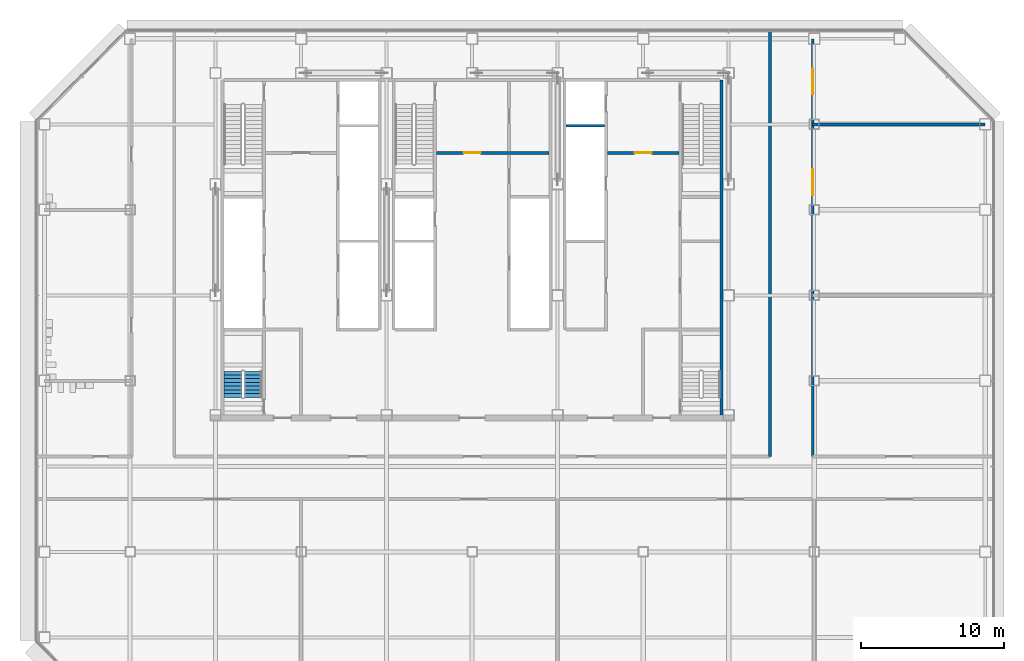
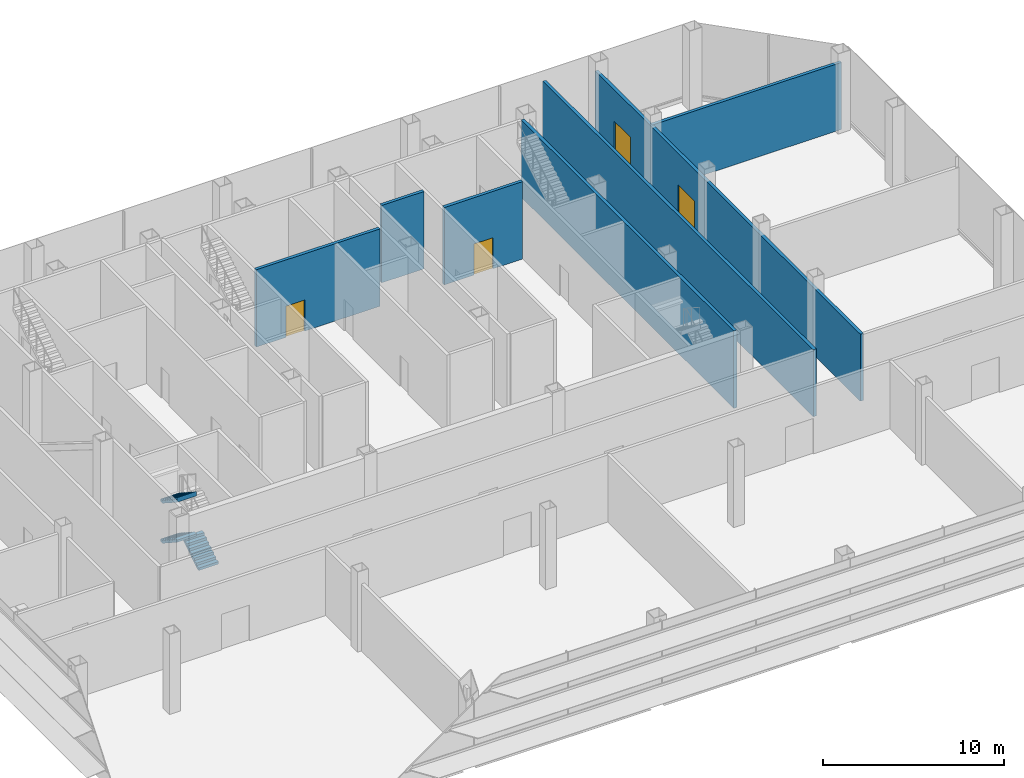
# One storey, part 18 of 23: 7 walls, 4 doors, 3 stair flights, 4 openings, 1 element without a shape of its own.
"""IFC4 building model written with IfcOpenShell, lengths in metres."""

from ifc_helpers import new_model, si_unit, direction, frame, frame_2d, origin, place, context, subcontext, project, spatial, polyline, rectangle, outline, extrude, material, layer, layer_set, type_object, element, fill, aggregate, save


model = new_model("IFC4")

# Units and contexts
model_context = context("Model", 3, precision=1e-05, world=origin(), true_north=direction((0.0, 1.0)))
body_context = subcontext(model_context, "Body", "Model", "MODEL_VIEW")
ifc_project = project(units=[si_unit("LENGTHUNIT", "METRE"), si_unit("AREAUNIT", "SQUARE_METRE"), si_unit("VOLUMEUNIT", "CUBIC_METRE"), si_unit("PLANEANGLEUNIT", "RADIAN"), si_unit("MASSUNIT", "GRAM", prefix="KILO")], contexts=[model_context])

# Site, building, storey
site_placement = place(None, origin())
site = spatial("IfcSite", under=ifc_project, at=site_placement, CompositionType="ELEMENT")
building_placement = place(site_placement, origin())
building = spatial("IfcBuilding", under=site, at=building_placement, Name="Sorahane Residences", CompositionType="ELEMENT")
storey_placement = place(building_placement, frame((0.0, 0.0, 114.199951171875)))
storey = spatial("IfcBuildingStorey", under=building, at=storey_placement, Name="L25", CompositionType="ELEMENT", Elevation=114.199951171875)

# Walls
ifc_material_1 = material(Name="Concrete C30", Category="concrete")
ifc_layer_1 = layer(ifc_material_1, 0.199951171875)
ifc_layer_set_1 = layer_set([ifc_layer_1], Name="Core face wall 200 EI 180")
wall_type_1 = type_object("IfcWallType", Name="Core face wall 200 EI 180", PredefinedType="SOLIDWALL", material=ifc_layer_set_1)
wall_1_placement = place(storey_placement, frame((41.5, 21.60009765625, 0.0), z_axis=(0.0, 0.0, 1.0), x_axis=(0.0, 1.0, 0.0)))
element("IfcWall", 1, at=wall_1_placement, inside=storey, type_object=wall_type_1, Name="L25 core face wall", PredefinedType="SOLIDWALL", context=body_context, shape_type="SweptSolid", body=[
    extrude(rectangle(XDim=23.5, YDim=0.199951171875, at=frame_2d((11.75, 0.0))), origin(), (0.0, 0.0, 1.0), 5.219970703125),
])
ifc_material_2 = material(Name="Concrete blockwork C20 wall", Category="masonry")
ifc_layer_2 = layer(ifc_material_2, 0.199951171875)
ifc_layer_set_2 = layer_set([ifc_layer_2], Name="Corridor wall 200 EI 120")
wall_type_2 = type_object("IfcWallType", Name="Corridor wall 200 EI 120", PredefinedType="SOLIDWALL", material=ifc_layer_set_2)
wall_2_placement = place(storey_placement, frame((44.89990234375, 18.699951171875, 0.0), z_axis=(0.0, 0.0, 1.0), x_axis=(0.0, 1.0, 0.0)))
element("IfcWall", 2, at=wall_2_placement, inside=storey, type_object=wall_type_2, Name="L25 corridor wall", PredefinedType="SOLIDWALL", context=body_context, shape_type="SweptSolid", body=[
    extrude(rectangle(XDim=29.900146484375, YDim=0.199951171875, at=frame_2d((14.9501953125, 0.0))), origin(), (0.0, 0.0, 1.0), 4.52001953125),
])

# Wall, openings, doors
wall_3_placement = place(storey_placement, frame((47.89990234375, 18.699951171875, 0.0), z_axis=(0.0, 0.0, 1.0), x_axis=(0.0, 1.0, 0.0)))
wall_3 = element("IfcWall", 3, at=wall_3_placement, inside=storey, type_object=wall_type_2, Name="L25 corridor wall", PredefinedType="SOLIDWALL", context=body_context, shape_type="SweptSolid", body=[
    extrude(rectangle(XDim=29.300048828125, YDim=0.199951171875, at=frame_2d((14.64990234375, 0.0))), origin(), (0.0, 0.0, 1.0), 4.52001953125),
])
opening_1_placement = place(wall_3_placement, frame((18.340087890625, 0.0, 0.0)))
opening_1 = element("IfcOpeningElement", 4, at=opening_1_placement, cuts=wall_3, Name="Opening L25-09", PredefinedType="OPENING", context=body_context, shape_type="SweptSolid", body=[
    extrude(rectangle(XDim=1.800048828125, YDim=2.39990234375, at=frame_2d((0.89990234375, 1.199951171875))), frame((0.0, 0.10986328125, 0.0), z_axis=(0.0, -1.0, 0.0), x_axis=(1.0, 0.0, 0.0)), (0.0, 0.0, 1.0), 0.219970703125),
])
opening_2_placement = place(wall_3_placement, frame((25.39990234375, 0.0, 0.0)))
opening_2 = element("IfcOpeningElement", 5, at=opening_2_placement, cuts=wall_3, Name="Opening L25-10", PredefinedType="OPENING", context=body_context, shape_type="SweptSolid", body=[
    extrude(rectangle(XDim=1.800048828125, YDim=2.39990234375, at=frame_2d((0.89990234375, 1.199951171875))), frame((0.0, 0.10986328125, 0.0), z_axis=(0.0, -1.0, 0.0), x_axis=(1.0, 0.0, 0.0)), (0.0, 0.0, 1.0), 0.219970703125),
])
ifc_material_3 = material(Name="Timber veneered fire door", Category="wood")
door_type_1 = type_object("IfcDoorType", Name="Double door 1800x2400 FD30", OperationType="NOTDEFINED", PredefinedType="DOOR", material=ifc_material_3)
door_1_placement = place(opening_1_placement, origin())
door_1 = element("IfcDoor", 6, at=door_1_placement, inside=storey, type_object=door_type_1, Name="Double door L25-09", OperationType="SINGLE_SWING_LEFT", OverallHeight=2.39990234375, OverallWidth=1.800048828125, PredefinedType="DOOR", context=body_context, shape_type="SweptSolid", body=[
    extrude(rectangle(XDim=1.800048828125, YDim=2.39990234375, at=frame_2d((0.89990234375, 1.199951171875))), frame((0.0, 0.02490234375, 0.0), z_axis=(0.0, -1.0, 0.0), x_axis=(1.0, 0.0, 0.0)), (0.0, 0.0, 1.0), 0.050048828125),
])
fill(opening_1, door_1)
door_2_placement = place(opening_2_placement, frame((1.800048828125, 0.0, 0.0), z_axis=(0.0, 0.0, 1.0), x_axis=(-1.0, 0.0, 0.0)))
door_2 = element("IfcDoor", 7, at=door_2_placement, inside=storey, type_object=door_type_1, Name="Double door L25-10", OperationType="SINGLE_SWING_RIGHT", OverallHeight=2.39990234375, OverallWidth=1.800048828125, PredefinedType="DOOR", context=body_context, shape_type="SweptSolid", body=[
    extrude(rectangle(XDim=1.800048828125, YDim=2.39990234375, at=frame_2d((0.89990234375, 1.199951171875))), frame((0.0, 0.02490234375, 0.0), z_axis=(0.0, -1.0, 0.0), x_axis=(1.0, 0.0, 0.0)), (0.0, 0.0, 1.0), 0.050048828125),
])
fill(opening_2, door_2)

# Wall
wall_4_placement = place(storey_placement, frame((47.89990234375, 42.0, 0.0), z_axis=(0.0, 0.0, 1.0), x_axis=(1.0, 0.0, 0.0)))
element("IfcWall", 8, at=wall_4_placement, inside=storey, type_object=wall_type_2, Name="L25 corridor wall", PredefinedType="SOLIDWALL", context=body_context, shape_type="SweptSolid", body=[
    extrude(rectangle(XDim=12.10009765625, YDim=0.199951171875, at=frame_2d((6.050048828125, 0.0))), origin(), (0.0, 0.0, 1.0), 4.52001953125),
])

# Wall, opening, door
ifc_material_4 = material(Name="Concrete C30", Category="concrete")
ifc_layer_3 = layer(ifc_material_4, 0.199951171875)
ifc_layer_set_3 = layer_set([ifc_layer_3], Name="Front room wall 200 EI 120")
wall_type_3 = type_object("IfcWallType", Name="Front room wall 200 EI 120", PredefinedType="PARTITIONING", material=ifc_layer_set_3)
wall_5_placement = place(storey_placement, frame((21.5, 40.0, 0.0), z_axis=(0.0, 0.0, 1.0), x_axis=(1.0, 0.0, 0.0)))
wall_5 = element("IfcWall", 9, at=wall_5_placement, inside=storey, type_object=wall_type_3, Name="L25 front room wall", PredefinedType="PARTITIONING", context=body_context, shape_type="SweptSolid", body=[
    extrude(rectangle(XDim=7.89990234375, YDim=0.199951171875, at=frame_2d((3.949951171875, 0.0))), origin(), (0.0, 0.0, 1.0), 5.219970703125),
])
opening_3_placement = place(wall_5_placement, frame((1.89990234375, 0.0, 0.0)))
opening_3 = element("IfcOpeningElement", 10, at=opening_3_placement, cuts=wall_5, Name="Opening L25-C07", PredefinedType="OPENING", context=body_context, shape_type="SweptSolid", body=[
    extrude(rectangle(XDim=1.199951171875, YDim=2.10009765625, at=frame_2d((0.60009765625, 1.050048828125))), frame((0.0, 0.10986328125, 0.0), z_axis=(0.0, -1.0, 0.0), x_axis=(1.0, 0.0, 0.0)), (0.0, 0.0, 1.0), 0.219970703125),
])
ifc_material_5 = material(Name="Steel", Category="steel")
door_type_2 = type_object("IfcDoorType", Name="Front room door 1200x2100 FD120", OperationType="NOTDEFINED", PredefinedType="DOOR", material=ifc_material_5)
door_3_placement = place(opening_3_placement, frame((1.199951171875, 0.0, 0.0), z_axis=(0.0, 0.0, 1.0), x_axis=(-1.0, 0.0, 0.0)))
door_3 = element("IfcDoor", 11, at=door_3_placement, inside=storey, type_object=door_type_2, Name="Front room door Stair S3 vestibule L25", OperationType="DOUBLE_DOOR_SINGLE_SWING", OverallHeight=2.10009765625, OverallWidth=1.199951171875, PredefinedType="DOOR", context=body_context, shape_type="SweptSolid", body=[
    extrude(rectangle(XDim=1.199951171875, YDim=2.10009765625, at=frame_2d((0.60009765625, 1.050048828125))), frame((0.0, 0.02490234375, 0.0), z_axis=(0.0, -1.0, 0.0), x_axis=(1.0, 0.0, 0.0)), (0.0, 0.0, 1.0), 0.050048828125),
])
fill(opening_3, door_3)

wall_6_placement = place(storey_placement, frame((33.5, 40.0, 0.0), z_axis=(0.0, 0.0, 1.0), x_axis=(1.0, 0.0, 0.0)))
wall_6 = element("IfcWall", 12, at=wall_6_placement, inside=storey, type_object=wall_type_3, Name="L25 front room wall", PredefinedType="PARTITIONING", context=body_context, shape_type="SweptSolid", body=[
    extrude(rectangle(XDim=5.0, YDim=0.199951171875, at=frame_2d((2.5, 0.0))), origin(), (0.0, 0.0, 1.0), 5.219970703125),
])
opening_4_placement = place(wall_6_placement, frame((1.89990234375, 0.0, 0.0)))
opening_4 = element("IfcOpeningElement", 13, at=opening_4_placement, cuts=wall_6, Name="Opening L25-C08", PredefinedType="OPENING", context=body_context, shape_type="SweptSolid", body=[
    extrude(rectangle(XDim=1.199951171875, YDim=2.10009765625, at=frame_2d((0.60009765625, 1.050048828125))), frame((0.0, 0.10986328125, 0.0), z_axis=(0.0, -1.0, 0.0), x_axis=(1.0, 0.0, 0.0)), (0.0, 0.0, 1.0), 0.219970703125),
])
door_4_placement = place(opening_4_placement, frame((1.199951171875, 0.0, 0.0), z_axis=(0.0, 0.0, 1.0), x_axis=(-1.0, 0.0, 0.0)))
door_4 = element("IfcDoor", 14, at=door_4_placement, inside=storey, type_object=door_type_2, Name="Front room door Firefighting lobby FF2 front room L25", OperationType="DOUBLE_DOOR_SINGLE_SWING", OverallHeight=2.10009765625, OverallWidth=1.199951171875, PredefinedType="DOOR", context=body_context, shape_type="SweptSolid", body=[
    extrude(rectangle(XDim=1.199951171875, YDim=2.10009765625, at=frame_2d((0.60009765625, 1.050048828125))), frame((0.0, 0.02490234375, 0.0), z_axis=(0.0, -1.0, 0.0), x_axis=(1.0, 0.0, 0.0)), (0.0, 0.0, 1.0), 0.050048828125),
])
fill(opening_4, door_4)

# Wall
ifc_material_6 = material(Name="Concrete C30", Category="concrete")
ifc_layer_4 = layer(ifc_material_6, 0.199951171875)
ifc_layer_set_4 = layer_set([ifc_layer_4], Name="Lift shaft wall 200 EI 120")
wall_type_4 = type_object("IfcWallType", Name="Lift shaft wall 200 EI 120", PredefinedType="SOLIDWALL", material=ifc_layer_set_4)
wall_7_placement = place(storey_placement, frame((30.60009765625, 41.89990234375, 0.0), z_axis=(0.0, 0.0, 1.0), x_axis=(1.0, 0.0, 0.0)))
element("IfcWall", 15, at=wall_7_placement, inside=storey, type_object=wall_type_4, Name="L25 lift shaft wall", PredefinedType="SOLIDWALL", context=body_context, shape_type="SweptSolid", body=[
    extrude(rectangle(XDim=2.699951171875, YDim=0.199951171875, at=frame_2d((1.35009765625, 0.0))), origin(), (0.0, 0.0, 1.0), 5.219970703125),
])

# Stair, stair flights
ifc_material_7 = material(Name="Concrete C40", Category="concrete")
stair_type = type_object("IfcStairType", Name="Dog-leg stair 1250 Concrete C40", PredefinedType="HALF_TURN_STAIR", material=ifc_material_7)
stair_placement = place(storey_placement, origin())
stair = element("IfcStair", 16, at=stair_placement, inside=storey, type_object=stair_type, Name="L25 Stair S4", PredefinedType="HALF_TURN_STAIR")
ifc_material_8 = material(Name="Concrete C40", Category="concrete")
stair_flight_type = type_object("IfcStairFlightType", Name="Stair flight 1250 Concrete C40", PredefinedType="STRAIGHT", material=ifc_material_8)
stair_flight_1_placement = place(storey_placement, frame((8.625, 22.85009765625, 0.0), z_axis=(0.0, 0.0, 1.0), x_axis=(0.0, 1.0, 0.0)))
stair_flight_1 = element("IfcStairFlight", 17, at=stair_flight_1_placement, type_object=stair_flight_type, Name="S4 flight 1", NumberOfRisers=8, NumberOfTreads=7, PredefinedType="STRAIGHT", RiserHeight=0.16875, TreadLength=0.26, context=body_context, shape_type="SweptSolid", body=[
    extrude(outline(polyline([(-0.00146484375, 0.0), (-0.00146484375, 0.002197265625), (-0.00146484375, 0.004150390625), (-0.00146484375, 0.00634765625), (-0.00146484375, 0.00830078125), (-0.00146484375, 0.010498046875), (-0.00146484375, 0.012451171875), (-0.00146484375, 0.0146484375), (-0.00146484375, 0.0166015625), (-0.00146484375, 0.018798828125), (-0.00146484375, 0.020751953125), (-0.00146484375, 0.02294921875), (-0.00146484375, 0.02490234375), (-0.00146484375, 0.027099609375), (-0.00146484375, 0.029052734375), (-0.00146484375, 0.03125), (-0.00146484375, 0.033447265625), (-0.00146484375, 0.035400390625), (-0.00146484375, 0.03759765625), (-0.00146484375, 0.03955078125), (-0.00146484375, 0.041748046875), (-0.00146484375, 0.043701171875), (-0.00146484375, 0.0458984375), (-0.00146484375, 0.0478515625), (-0.00146484375, 0.050048828125), (-0.00146484375, 0.052001953125), (-0.00146484375, 0.05419921875), (-0.00146484375, 0.05615234375), (-0.00146484375, 0.058349609375), (-0.00146484375, 0.060302734375), (-0.00146484375, 0.0625), (-0.00146484375, 0.064697265625), (-0.00146484375, 0.066650390625), (-0.00146484375, 0.06884765625), (-0.00146484375, 0.07080078125), (-0.00146484375, 0.072998046875), (-0.00146484375, 0.074951171875), (-0.00146484375, 0.0771484375), (-0.00146484375, 0.0791015625), (-0.00146484375, 0.081298828125), (-0.00146484375, 0.083251953125), (-0.00146484375, 0.08544921875), (-0.00146484375, 0.08740234375), (-0.00146484375, 0.089599609375), (-0.00146484375, 0.091552734375), (-0.00146484375, 0.09375), (-0.00146484375, 0.095947265625), (-0.00146484375, 0.097900390625), (-0.00146484375, 0.10009765625), (-0.00146484375, 0.10205078125), (-0.00146484375, 0.104248046875), (-0.00146484375, 0.106201171875), (-0.00146484375, 0.1083984375), (-0.00146484375, 0.1103515625), (-0.00146484375, 0.112548828125), (-0.00146484375, 0.114501953125), (-0.00146484375, 0.11669921875), (-0.00146484375, 0.11865234375), (-0.00146484375, 0.120849609375), (-0.00146484375, 0.122802734375), (-0.00146484375, 0.125), (-0.00146484375, 0.127197265625), (-0.00146484375, 0.129150390625), (-0.00146484375, 0.13134765625), (-0.00146484375, 0.13330078125), (-0.00146484375, 0.135498046875), (-0.00146484375, 0.137451171875), (-0.00146484375, 0.1396484375), (-0.00146484375, 0.1416015625), (-0.00146484375, 0.143798828125), (-0.00146484375, 0.145751953125), (-0.00146484375, 0.14794921875), (-0.00146484375, 0.14990234375), (-0.00146484375, 0.152099609375), (-0.00146484375, 0.154052734375), (-0.00146484375, 0.15625), (-0.00146484375, 0.158447265625), (-0.00146484375, 0.160400390625), (-0.00146484375, 0.16259765625), (-0.00146484375, 0.16455078125), (-0.00146484375, 0.166748046875), (-0.00146484375, 0.168701171875), (0.0, 0.168701171875), (0.260009765625, 0.168701171875), (0.260009765625, 0.33740234375), (0.52001953125, 0.33740234375), (0.52001953125, 0.50634765625), (0.780029296875, 0.50634765625), (0.780029296875, 0.675048828125), (1.0400390625, 0.675048828125), (1.0400390625, 0.84375), (1.300048828125, 0.84375), (1.300048828125, 1.012451171875), (1.56005859375, 1.012451171875), (1.56005859375, 1.18115234375), (1.820068359375, 1.18115234375), (1.820068359375, 1.35009765625), (1.820068359375, 1.34619140625), (1.820068359375, 1.34228515625), (1.820068359375, 1.33837890625), (1.820068359375, 1.334716796875), (1.820068359375, 1.330810546875), (1.820068359375, 1.326904296875), (1.820068359375, 1.322998046875), (1.820068359375, 1.319091796875), (1.820068359375, 1.3154296875), (1.820068359375, 1.3115234375), (1.820068359375, 1.3076171875), (1.820068359375, 1.3037109375), (1.820068359375, 1.300048828125), (1.820068359375, 1.296142578125), (1.820068359375, 1.292236328125), (1.820068359375, 1.288330078125), (1.820068359375, 1.284423828125), (1.820068359375, 1.28076171875), (1.820068359375, 1.27685546875), (1.820068359375, 1.27294921875), (1.820068359375, 1.26904296875), (1.820068359375, 1.265380859375), (1.820068359375, 1.261474609375), (1.820068359375, 1.257568359375), (1.820068359375, 1.253662109375), (1.820068359375, 1.249755859375), (1.820068359375, 1.24609375), (1.820068359375, 1.2421875), (1.820068359375, 1.23828125), (1.820068359375, 1.234375), (1.820068359375, 1.230712890625), (1.820068359375, 1.226806640625), (1.820068359375, 1.222900390625), (1.820068359375, 1.218994140625), (1.820068359375, 1.215087890625), (1.820068359375, 1.21142578125), (1.820068359375, 1.20751953125), (1.820068359375, 1.20361328125), (1.820068359375, 1.19970703125), (1.820068359375, 1.196044921875), (1.820068359375, 1.192138671875), (1.820068359375, 1.188232421875), (1.820068359375, 1.184326171875), (1.820068359375, 1.1806640625), (1.820068359375, 1.1767578125), (1.820068359375, 1.1728515625), (1.820068359375, 1.1689453125), (1.820068359375, 1.1650390625), (1.820068359375, 1.161376953125), (1.820068359375, 1.157470703125), (1.820068359375, 1.153564453125), (1.820068359375, 1.149658203125), (1.820068359375, 1.14599609375), (1.820068359375, 1.14208984375), (1.820068359375, 1.13818359375), (1.820068359375, 1.13427734375), (1.820068359375, 1.13037109375), (1.820068359375, 1.126708984375), (1.820068359375, 1.122802734375), (1.820068359375, 1.118896484375), (1.820068359375, 1.114990234375), (1.820068359375, 1.111328125), (1.820068359375, 1.107421875), (1.820068359375, 1.103515625), (1.820068359375, 1.099609375), (1.820068359375, 1.095703125), (1.820068359375, 1.092041015625), (1.820068359375, 1.088134765625), (1.820068359375, 1.084228515625), (1.820068359375, 1.080322265625), (1.820068359375, 1.07666015625), (1.820068359375, 1.07275390625), (1.820068359375, 1.06884765625), (1.820068359375, 1.06494140625), (1.820068359375, 1.061279296875), (1.820068359375, 1.057373046875), (1.820068359375, 1.053466796875), (1.820068359375, 1.049560546875), (1.820068359375, 1.045654296875), (1.820068359375, 1.0419921875), (1.820068359375, 1.0380859375), (1.642333984375, 0.922607421875), (1.464599609375, 0.807373046875), (1.286865234375, 0.692138671875), (1.109130859375, 0.57666015625), (0.931396484375, 0.46142578125), (0.753662109375, 0.345947265625), (0.575927734375, 0.230712890625), (0.3984375, 0.115234375), (0.220703125, 0.0), (-0.00146484375, 0.0)])), frame((0.0, 0.625, 0.0), z_axis=(0.0, -1.0, 0.0), x_axis=(1.0, 0.0, 0.0)), (0.0, 0.0, 1.0), 1.25),
])
stair_flight_2_placement = place(storey_placement, frame((7.22509765625, 24.669921875, 1.35009765625), z_axis=(0.0, 0.0, 1.0), x_axis=(0.0, -1.0, 0.0)))
stair_flight_2 = element("IfcStairFlight", 18, at=stair_flight_2_placement, type_object=stair_flight_type, Name="S4 flight 2", NumberOfRisers=8, NumberOfTreads=7, PredefinedType="STRAIGHT", RiserHeight=0.16875, TreadLength=0.26, context=body_context, shape_type="SweptSolid", body=[
    extrude(outline(polyline([(0.0, 0.0), (0.0, 0.002197265625), (0.0, 0.004150390625), (0.0, 0.00634765625), (0.0, 0.00830078125), (0.0, 0.010498046875), (0.0, 0.012451171875), (0.0, 0.0146484375), (0.0, 0.0166015625), (0.0, 0.018798828125), (0.0, 0.020751953125), (0.0, 0.02294921875), (0.0, 0.02490234375), (0.0, 0.027099609375), (0.0, 0.029052734375), (0.0, 0.03125), (0.0, 0.033447265625), (0.0, 0.035400390625), (0.0, 0.03759765625), (0.0, 0.03955078125), (0.0, 0.041748046875), (0.0, 0.043701171875), (0.0, 0.0458984375), (0.0, 0.0478515625), (0.0, 0.050048828125), (0.0, 0.052001953125), (0.0, 0.05419921875), (0.0, 0.05615234375), (0.0, 0.058349609375), (0.0, 0.060302734375), (0.0, 0.0625), (0.0, 0.064697265625), (0.0, 0.066650390625), (0.0, 0.06884765625), (0.0, 0.07080078125), (0.0, 0.072998046875), (0.0, 0.074951171875), (0.0, 0.0771484375), (0.0, 0.0791015625), (0.0, 0.081298828125), (0.0, 0.083251953125), (0.0, 0.08544921875), (0.0, 0.08740234375), (0.0, 0.089599609375), (0.0, 0.091552734375), (0.0, 0.09375), (0.0, 0.095947265625), (0.0, 0.097900390625), (0.0, 0.10009765625), (0.0, 0.10205078125), (0.0, 0.104248046875), (0.0, 0.106201171875), (0.0, 0.1083984375), (0.0, 0.1103515625), (0.0, 0.112548828125), (0.0, 0.114501953125), (0.0, 0.11669921875), (0.0, 0.11865234375), (0.0, 0.120849609375), (0.0, 0.122802734375), (0.0, 0.125), (0.0, 0.127197265625), (0.0, 0.129150390625), (0.0, 0.13134765625), (0.0, 0.13330078125), (0.0, 0.135498046875), (0.0, 0.137451171875), (0.0, 0.1396484375), (0.0, 0.1416015625), (0.0, 0.143798828125), (0.0, 0.145751953125), (0.0, 0.14794921875), (0.0, 0.14990234375), (0.0, 0.152099609375), (0.0, 0.154052734375), (0.0, 0.15625), (0.0, 0.158447265625), (0.0, 0.160400390625), (0.0, 0.16259765625), (0.0, 0.16455078125), (0.0, 0.166748046875), (0.0, 0.168701171875), (0.260009765625, 0.168701171875), (0.260009765625, 0.33740234375), (0.52001953125, 0.33740234375), (0.52001953125, 0.50634765625), (0.780029296875, 0.50634765625), (0.780029296875, 0.675048828125), (1.0400390625, 0.675048828125), (1.0400390625, 0.84375), (1.300048828125, 0.84375), (1.300048828125, 1.012451171875), (1.56005859375, 1.012451171875), (1.56005859375, 1.18115234375), (1.820068359375, 1.18115234375), (1.820068359375, 1.35009765625), (1.820068359375, 1.34619140625), (1.820068359375, 1.34228515625), (1.820068359375, 1.33837890625), (1.820068359375, 1.334716796875), (1.820068359375, 1.330810546875), (1.820068359375, 1.326904296875), (1.820068359375, 1.322998046875), (1.820068359375, 1.319091796875), (1.820068359375, 1.3154296875), (1.820068359375, 1.3115234375), (1.820068359375, 1.3076171875), (1.820068359375, 1.3037109375), (1.820068359375, 1.300048828125), (1.820068359375, 1.296142578125), (1.820068359375, 1.292236328125), (1.820068359375, 1.288330078125), (1.820068359375, 1.284423828125), (1.820068359375, 1.28076171875), (1.820068359375, 1.27685546875), (1.820068359375, 1.27294921875), (1.820068359375, 1.26904296875), (1.820068359375, 1.265380859375), (1.820068359375, 1.261474609375), (1.820068359375, 1.257568359375), (1.820068359375, 1.253662109375), (1.820068359375, 1.249755859375), (1.820068359375, 1.24609375), (1.820068359375, 1.2421875), (1.820068359375, 1.23828125), (1.820068359375, 1.234375), (1.820068359375, 1.230712890625), (1.820068359375, 1.226806640625), (1.820068359375, 1.222900390625), (1.820068359375, 1.218994140625), (1.820068359375, 1.215087890625), (1.820068359375, 1.21142578125), (1.820068359375, 1.20751953125), (1.820068359375, 1.20361328125), (1.820068359375, 1.19970703125), (1.820068359375, 1.196044921875), (1.820068359375, 1.192138671875), (1.820068359375, 1.188232421875), (1.820068359375, 1.184326171875), (1.820068359375, 1.1806640625), (1.820068359375, 1.1767578125), (1.820068359375, 1.1728515625), (1.820068359375, 1.1689453125), (1.820068359375, 1.1650390625), (1.820068359375, 1.161376953125), (1.820068359375, 1.157470703125), (1.820068359375, 1.153564453125), (1.820068359375, 1.149658203125), (1.820068359375, 1.14599609375), (1.820068359375, 1.14208984375), (1.820068359375, 1.13818359375), (1.820068359375, 1.13427734375), (1.820068359375, 1.13037109375), (1.820068359375, 1.126708984375), (1.820068359375, 1.122802734375), (1.820068359375, 1.118896484375), (1.820068359375, 1.114990234375), (1.820068359375, 1.111328125), (1.820068359375, 1.107421875), (1.820068359375, 1.103515625), (1.820068359375, 1.099609375), (1.820068359375, 1.095703125), (1.820068359375, 1.092041015625), (1.820068359375, 1.088134765625), (1.820068359375, 1.084228515625), (1.820068359375, 1.080322265625), (1.820068359375, 1.07666015625), (1.820068359375, 1.07275390625), (1.820068359375, 1.06884765625), (1.820068359375, 1.06494140625), (1.820068359375, 1.061279296875), (1.820068359375, 1.057373046875), (1.820068359375, 1.053466796875), (1.820068359375, 1.049560546875), (1.820068359375, 1.045654296875), (1.820068359375, 1.0419921875), (1.820068359375, 1.0380859375), (1.6201171875, 0.908203125), (1.420166015625, 0.778564453125), (1.22021484375, 0.648681640625), (1.020263671875, 0.51904296875), (0.8203125, 0.38916015625), (0.620361328125, 0.259521484375), (0.420654296875, 0.129638671875), (0.220703125, 0.0), (0.0, 0.0)])), frame((0.0, 0.625, 0.0), z_axis=(0.0, -1.0, 0.0), x_axis=(1.0, 0.0, 0.0)), (0.0, 0.0, 1.0), 1.25),
])
stair_flight_3_placement = place(storey_placement, frame((7.22509765625, 24.669921875, 4.050048828125), z_axis=(0.0, 0.0, 1.0), x_axis=(0.0, -1.0, 0.0)))
stair_flight_3 = element("IfcStairFlight", 19, at=stair_flight_3_placement, type_object=stair_flight_type, Name="S4 flight 4", NumberOfRisers=8, NumberOfTreads=7, PredefinedType="STRAIGHT", RiserHeight=0.16875, TreadLength=0.26, context=body_context, shape_type="SweptSolid", body=[
    extrude(outline(polyline([(0.0, 0.0), (0.0, 0.002197265625), (0.0, 0.004150390625), (0.0, 0.00634765625), (0.0, 0.00830078125), (0.0, 0.010498046875), (0.0, 0.012451171875), (0.0, 0.0146484375), (0.0, 0.0166015625), (0.0, 0.018798828125), (0.0, 0.020751953125), (0.0, 0.02294921875), (0.0, 0.02490234375), (0.0, 0.027099609375), (0.0, 0.029052734375), (0.0, 0.03125), (0.0, 0.033447265625), (0.0, 0.035400390625), (0.0, 0.03759765625), (0.0, 0.03955078125), (0.0, 0.041748046875), (0.0, 0.043701171875), (0.0, 0.0458984375), (0.0, 0.0478515625), (0.0, 0.050048828125), (0.0, 0.052001953125), (0.0, 0.05419921875), (0.0, 0.05615234375), (0.0, 0.058349609375), (0.0, 0.060302734375), (0.0, 0.0625), (0.0, 0.064697265625), (0.0, 0.066650390625), (0.0, 0.06884765625), (0.0, 0.07080078125), (0.0, 0.072998046875), (0.0, 0.074951171875), (0.0, 0.0771484375), (0.0, 0.0791015625), (0.0, 0.081298828125), (0.0, 0.083251953125), (0.0, 0.08544921875), (0.0, 0.08740234375), (0.0, 0.089599609375), (0.0, 0.091552734375), (0.0, 0.09375), (0.0, 0.095947265625), (0.0, 0.097900390625), (0.0, 0.10009765625), (0.0, 0.10205078125), (0.0, 0.104248046875), (0.0, 0.106201171875), (0.0, 0.1083984375), (0.0, 0.1103515625), (0.0, 0.112548828125), (0.0, 0.114501953125), (0.0, 0.11669921875), (0.0, 0.11865234375), (0.0, 0.120849609375), (0.0, 0.122802734375), (0.0, 0.125), (0.0, 0.127197265625), (0.0, 0.129150390625), (0.0, 0.13134765625), (0.0, 0.13330078125), (0.0, 0.135498046875), (0.0, 0.137451171875), (0.0, 0.1396484375), (0.0, 0.1416015625), (0.0, 0.143798828125), (0.0, 0.145751953125), (0.0, 0.14794921875), (0.0, 0.14990234375), (0.0, 0.152099609375), (0.0, 0.154052734375), (0.0, 0.15625), (0.0, 0.158447265625), (0.0, 0.160400390625), (0.0, 0.16259765625), (0.0, 0.16455078125), (0.0, 0.166748046875), (0.0, 0.168701171875), (0.260009765625, 0.168701171875), (0.260009765625, 0.33740234375), (0.52001953125, 0.33740234375), (0.52001953125, 0.50634765625), (0.780029296875, 0.50634765625), (0.780029296875, 0.675048828125), (1.0400390625, 0.675048828125), (1.0400390625, 0.84375), (1.300048828125, 0.84375), (1.300048828125, 1.012451171875), (1.56005859375, 1.012451171875), (1.56005859375, 1.18115234375), (1.820068359375, 1.18115234375), (1.820068359375, 1.35009765625), (1.821533203125, 1.35009765625), (1.821533203125, 1.34619140625), (1.821533203125, 1.34228515625), (1.821533203125, 1.33837890625), (1.821533203125, 1.334716796875), (1.821533203125, 1.330810546875), (1.821533203125, 1.326904296875), (1.821533203125, 1.322998046875), (1.821533203125, 1.319091796875), (1.821533203125, 1.3154296875), (1.821533203125, 1.3115234375), (1.821533203125, 1.3076171875), (1.821533203125, 1.3037109375), (1.821533203125, 1.300048828125), (1.821533203125, 1.296142578125), (1.821533203125, 1.292236328125), (1.821533203125, 1.288330078125), (1.821533203125, 1.284423828125), (1.821533203125, 1.28076171875), (1.821533203125, 1.27685546875), (1.821533203125, 1.27294921875), (1.821533203125, 1.26904296875), (1.821533203125, 1.265380859375), (1.821533203125, 1.261474609375), (1.821533203125, 1.257568359375), (1.821533203125, 1.253662109375), (1.821533203125, 1.249755859375), (1.821533203125, 1.24609375), (1.821533203125, 1.2421875), (1.821533203125, 1.23828125), (1.821533203125, 1.234375), (1.821533203125, 1.230712890625), (1.821533203125, 1.226806640625), (1.821533203125, 1.222900390625), (1.821533203125, 1.218994140625), (1.821533203125, 1.215087890625), (1.821533203125, 1.21142578125), (1.821533203125, 1.20751953125), (1.821533203125, 1.20361328125), (1.821533203125, 1.19970703125), (1.821533203125, 1.196044921875), (1.821533203125, 1.192138671875), (1.821533203125, 1.188232421875), (1.821533203125, 1.184326171875), (1.821533203125, 1.1806640625), (1.821533203125, 1.1767578125), (1.821533203125, 1.1728515625), (1.821533203125, 1.1689453125), (1.821533203125, 1.1650390625), (1.821533203125, 1.161376953125), (1.821533203125, 1.157470703125), (1.821533203125, 1.153564453125), (1.821533203125, 1.149658203125), (1.821533203125, 1.14599609375), (1.821533203125, 1.14208984375), (1.821533203125, 1.13818359375), (1.821533203125, 1.13427734375), (1.821533203125, 1.13037109375), (1.821533203125, 1.126708984375), (1.821533203125, 1.122802734375), (1.821533203125, 1.118896484375), (1.821533203125, 1.114990234375), (1.821533203125, 1.111328125), (1.821533203125, 1.107421875), (1.821533203125, 1.103515625), (1.821533203125, 1.099609375), (1.821533203125, 1.095703125), (1.821533203125, 1.092041015625), (1.821533203125, 1.088134765625), (1.821533203125, 1.084228515625), (1.821533203125, 1.080322265625), (1.821533203125, 1.07666015625), (1.821533203125, 1.07275390625), (1.821533203125, 1.06884765625), (1.821533203125, 1.06494140625), (1.821533203125, 1.061279296875), (1.821533203125, 1.057373046875), (1.821533203125, 1.053466796875), (1.821533203125, 1.049560546875), (1.821533203125, 1.045654296875), (1.821533203125, 1.0419921875), (1.821533203125, 1.0380859375), (1.6435546875, 0.922607421875), (1.4658203125, 0.807373046875), (1.287841796875, 0.692138671875), (1.110107421875, 0.57666015625), (0.93212890625, 0.46142578125), (0.754150390625, 0.345947265625), (0.576416015625, 0.230712890625), (0.3984375, 0.115234375), (0.220703125, 0.0), (0.0, 0.0)])), frame((0.0, 0.625, 0.0), z_axis=(0.0, -1.0, 0.0), x_axis=(1.0, 0.0, 0.0)), (0.0, 0.0, 1.0), 1.25),
])
aggregate(stair, [stair_flight_1, stair_flight_2, stair_flight_3])

save(model, "model.ifc")
